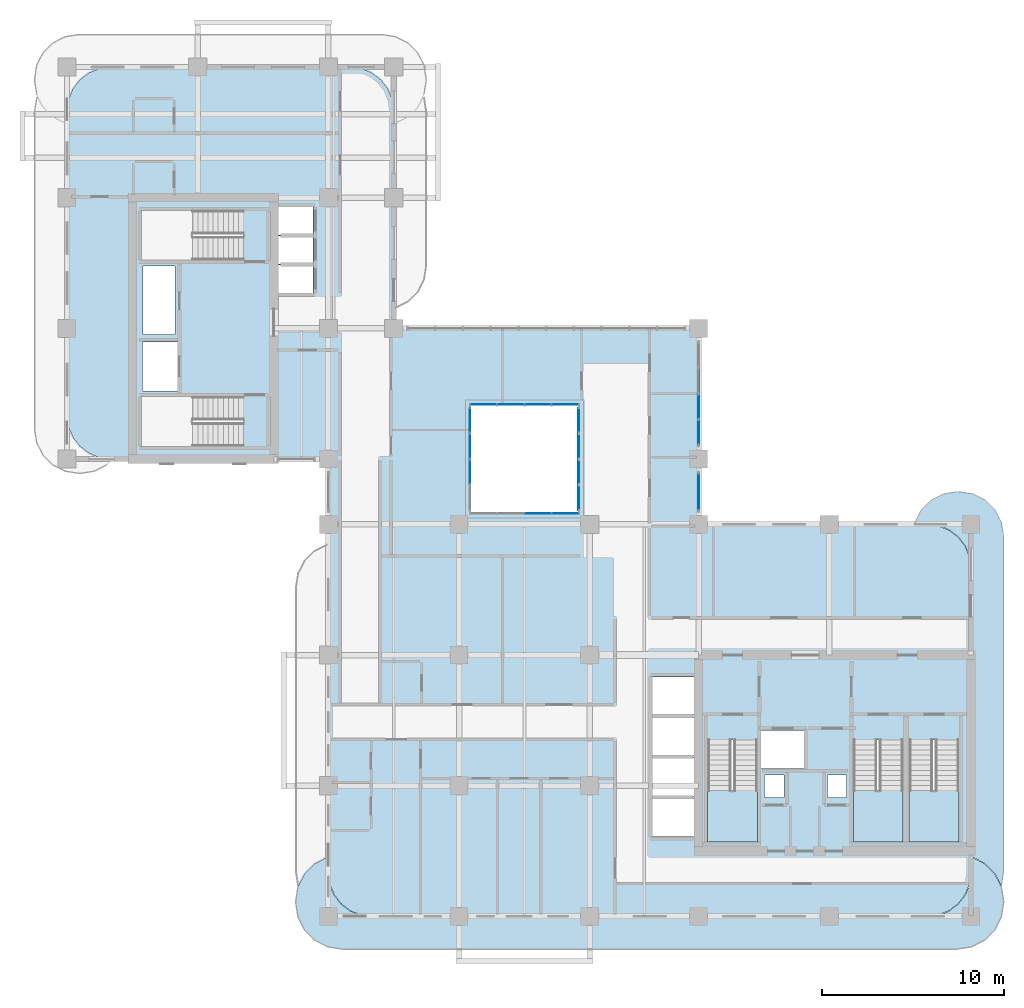
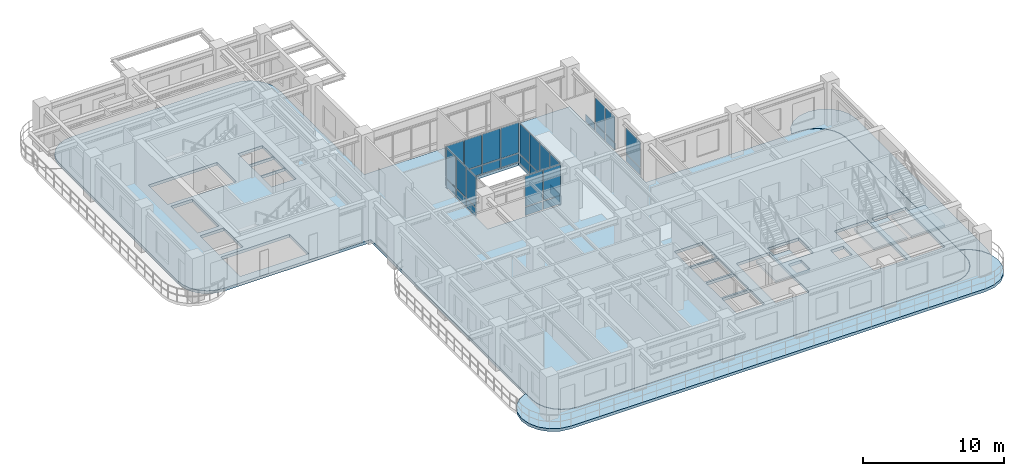
# One storey, part 9 of 20: 33 plates, 6 slabs, 9 elements without a shape of their own.
"""IFC4 building model written with IfcOpenShell, lengths in metres."""

from ifc_helpers import new_model, si_unit, derived_unit, direction, frame, origin, origin_2d, place, context, subcontext, project, spatial, polyline, rectangle, outline, extrude, source, transform, mapped, material, layer, layer_set, type_object, element, aggregate, save


model = new_model("IFC4")

# Units and contexts
model_context = context("Model", 3, precision=1e-05, world=origin(), true_north=direction((0.0, 1.0)))
body_context = subcontext(model_context, "Body", "Model", "MODEL_VIEW")
ifc_project = project(units=[si_unit("LENGTHUNIT", "METRE"), si_unit("AREAUNIT", "SQUARE_METRE"), si_unit("VOLUMEUNIT", "CUBIC_METRE"), si_unit("PLANEANGLEUNIT", "RADIAN"), si_unit("MASSUNIT", "GRAM", prefix="KILO"), si_unit("THERMODYNAMICTEMPERATUREUNIT", "KELVIN"), si_unit("POWERUNIT", "WATT"), derived_unit("THERMALTRANSMITTANCEUNIT", [(si_unit("POWERUNIT", "WATT"), 1), (si_unit("AREAUNIT", "SQUARE_METRE"), -1), (si_unit("THERMODYNAMICTEMPERATUREUNIT", "KELVIN"), -1)])], contexts=[model_context])

# Site, building, storey
site_placement = place(None, origin())
site = spatial("IfcSite", under=ifc_project, at=site_placement, CompositionType="ELEMENT")
building_placement = place(site_placement, origin())
building = spatial("IfcBuilding", under=site, at=building_placement, Name="Zahravan Archway Hotel and Residences", CompositionType="ELEMENT")
storey_placement = place(building_placement, frame((0.0, 0.0, 173.39990234375)))
storey = spatial("IfcBuildingStorey", under=building, at=storey_placement, Name="L43", CompositionType="ELEMENT", Elevation=173.39990234375)

# Slabs
ifc_material_1 = material(Name="Concrete C45/55", Category="concrete")
ifc_layer_1 = layer(ifc_material_1, 0.25, Name="Concrete C45/55", Category="concrete")
ifc_layer_set_1 = layer_set([ifc_layer_1], Name="Concrete C45/55")
slab_type_1 = type_object("IfcSlabType", Name="SLB-BALC-250", PredefinedType="FLOOR", material=ifc_layer_set_1)
slab_1_placement = place(storey_placement, frame((0.0, 0.0, -0.25)))
element("IfcSlab", 1, at=slab_1_placement, inside=storey, type_object=slab_type_1, Name="L43 Wing A South Rounded Balcony Band", PredefinedType="FLOOR", context=body_context, shape_type="SweptSolid", body=[
    extrude(outline(polyline([(49.837890625, 3.275146484375), (50.548828125, 2.9130859375), (51.113037109375, 2.348876953125), (51.47509765625, 1.637939453125), (51.60009765625, 0.85009765625), (51.60009765625, 0.75), (51.47509765625, -0.0380859375), (51.113037109375, -0.748779296875), (50.548828125, -1.31298828125), (49.837890625, -1.67529296875), (49.050048828125, -1.800048828125), (15.14990234375, -1.800048828125), (14.362060546875, -1.67529296875), (13.651123046875, -1.31298828125), (13.0869140625, -0.748779296875), (12.724853515625, -0.0380859375), (12.60009765625, 0.75), (12.60009765625, 0.85009765625), (12.724853515625, 1.637939453125), (13.0869140625, 2.348876953125), (13.651123046875, 2.9130859375), (14.362060546875, 3.275146484375), (14.3798828125, 3.278076171875), (14.3798828125, 2.39990234375), (14.380126953125, 2.3974609375), (14.4619140625, 1.776123046875), (14.46240234375, 1.7744140625), (14.462646484375, 1.772705078125), (14.46337890625, 1.77099609375), (14.702880859375, 1.1923828125), (14.703857421875, 1.19091796875), (14.70458984375, 1.189208984375), (14.70556640625, 1.187744140625), (15.0869140625, 0.690673828125), (15.088134765625, 0.689453125), (15.08935546875, 0.688232421875), (15.0908203125, 0.68701171875), (15.587890625, 0.3056640625), (15.58935546875, 0.3046875), (15.5908203125, 0.3037109375), (15.59228515625, 0.302978515625), (16.171142578125, 0.063232421875), (16.1728515625, 0.062744140625), (16.174560546875, 0.062255859375), (16.17626953125, 0.06201171875), (16.79736328125, -0.019775390625), (16.800048828125, -0.02001953125), (47.39990234375, -0.02001953125), (47.402587890625, -0.019775390625), (48.023681640625, 0.06201171875), (48.025390625, 0.062255859375), (48.027099609375, 0.062744140625), (48.02880859375, 0.063232421875), (48.607666015625, 0.302978515625), (48.609130859375, 0.3037109375), (48.610595703125, 0.3046875), (48.6123046875, 0.3056640625), (49.109375, 0.68701171875), (49.110595703125, 0.688232421875), (49.11181640625, 0.689453125), (49.113037109375, 0.690673828125), (49.494384765625, 1.187744140625), (49.495361328125, 1.189208984375), (49.49609375, 1.19091796875), (49.4970703125, 1.1923828125), (49.73681640625, 1.77099609375), (49.7373046875, 1.772705078125), (49.73779296875, 1.7744140625), (49.738037109375, 1.776123046875), (49.81982421875, 2.3974609375), (49.820068359375, 2.39990234375), (49.820068359375, 3.278076171875), (49.837890625, 3.275146484375)])), origin(), (0.0, 0.0, 1.0), 0.25),
])
slab_2_placement = place(storey_placement, frame((0.0, 0.0, -0.25)))
element("IfcSlab", 2, at=slab_2_placement, inside=storey, type_object=slab_type_1, Name="L43 Wing A East Rounded Balcony Band", PredefinedType="FLOOR", context=body_context, shape_type="SweptSolid", body=[
    extrude(outline(polyline([(46.719970703125, 21.70703125), (47.06787109375, 22.39013671875), (47.60986328125, 22.93212890625), (48.29296875, 23.280029296875), (49.050048828125, 23.39990234375), (49.14990234375, 23.39990234375), (49.906982421875, 23.280029296875), (50.590087890625, 22.93212890625), (51.132080078125, 22.39013671875), (51.47998046875, 21.70703125), (51.60009765625, 20.949951171875), (51.60009765625, 2.449951171875), (51.47998046875, 1.69287109375), (51.474853515625, 1.6826171875), (51.130859375, 2.35791015625), (51.1298828125, 2.35986328125), (51.12841796875, 2.361572265625), (51.127197265625, 2.363037109375), (50.56298828125, 2.927001953125), (50.5615234375, 2.928466796875), (50.559814453125, 2.9296875), (50.55810546875, 2.930908203125), (49.84716796875, 3.29296875), (49.84521484375, 3.2939453125), (49.84326171875, 3.29443359375), (49.841064453125, 3.294921875), (49.822998046875, 3.2978515625), (49.8212890625, 3.298095703125), (49.820068359375, 3.298095703125), (49.820068359375, 19.199951171875), (49.81982421875, 19.20263671875), (49.738037109375, 19.82373046875), (49.73779296875, 19.825439453125), (49.7373046875, 19.8271484375), (49.73681640625, 19.828857421875), (49.4970703125, 20.40771484375), (49.49609375, 20.4091796875), (49.495361328125, 20.41064453125), (49.494384765625, 20.412109375), (49.113037109375, 20.9091796875), (49.11181640625, 20.91064453125), (49.110595703125, 20.911865234375), (49.109375, 20.9130859375), (48.6123046875, 21.29443359375), (48.610595703125, 21.29541015625), (48.609130859375, 21.296142578125), (48.607666015625, 21.297119140625), (48.02880859375, 21.53662109375), (48.027099609375, 21.537353515625), (48.025390625, 21.53759765625), (48.023681640625, 21.5380859375), (47.402587890625, 21.619873046875), (47.39990234375, 21.6201171875), (46.7060546875, 21.6201171875), (46.719970703125, 21.70703125)])), origin(), (0.0, 0.0, 1.0), 0.25),
])
ifc_layer_2 = layer(ifc_material_1, 0.25, Name="Concrete C45/55", Category="concrete")
ifc_layer_set_2 = layer_set([ifc_layer_2], Name="Concrete C45/55")
slab_type_2 = type_object("IfcSlabType", Name="SLB-FLR-250", PredefinedType="FLOOR", material=ifc_layer_set_2)
slab_3_placement = place(storey_placement, frame((0.0, 0.0, -0.25)))
element("IfcSlab", 3, at=slab_3_placement, inside=storey, type_object=slab_type_2, Name="L43 Floor Slab LB", PredefinedType="FLOOR", context=body_context, shape_type="SweptSolid", body=[
    extrude(outline(polyline([(34.800048828125, 21.60009765625), (34.800048828125, 32.39990234375), (18.0, 32.39990234375), (18.0, 44.39990234375), (17.918212890625, 45.021240234375), (17.678466796875, 45.60009765625), (17.297119140625, 46.09716796875), (16.800048828125, 46.478515625), (16.22119140625, 46.71826171875), (15.60009765625, 46.800048828125), (2.39990234375, 46.800048828125), (1.77880859375, 46.71826171875), (1.199951171875, 46.478515625), (0.702880859375, 46.09716796875), (0.321533203125, 45.60009765625), (0.081787109375, 45.021240234375), (0.0, 44.39990234375), (0.0, 27.60009765625), (0.081787109375, 26.978759765625), (0.321533203125, 26.39990234375), (0.702880859375, 25.90283203125), (1.199951171875, 25.521484375), (1.77880859375, 25.28173828125), (2.39990234375, 25.199951171875), (14.39990234375, 25.199951171875), (14.39990234375, 19.199951171875), (14.39990234375, 19.10009765625), (14.39990234375, 2.39990234375), (14.481689453125, 1.77880859375), (14.721435546875, 1.199951171875), (15.102783203125, 0.702880859375), (15.60009765625, 0.321533203125), (16.1787109375, 0.081787109375), (16.800048828125, 0.0), (47.39990234375, 0.0), (48.021240234375, 0.081787109375), (48.60009765625, 0.321533203125), (49.09716796875, 0.702880859375), (49.478515625, 1.199951171875), (49.71826171875, 1.77880859375), (49.800048828125, 2.39990234375), (49.800048828125, 19.199951171875), (49.71826171875, 19.8212890625), (49.478515625, 20.39990234375), (49.09716796875, 20.897216796875), (48.60009765625, 21.278564453125), (48.021240234375, 21.518310546875), (47.39990234375, 21.60009765625), (34.800048828125, 21.60009765625)]), holes=[polyline([(35.300048828125, 9.72998046875), (35.300048828125, 4.10009765625), (38.0400390625, 4.10009765625), (38.0400390625, 9.72998046875), (35.300048828125, 9.72998046875)]), polyline([(43.320068359375, 9.72998046875), (43.320068359375, 4.10009765625), (46.06005859375, 4.10009765625), (46.06005859375, 9.72998046875), (43.320068359375, 9.72998046875)]), polyline([(46.39990234375, 9.72998046875), (46.39990234375, 4.10009765625), (49.139892578125, 4.10009765625), (49.139892578125, 9.72998046875), (46.39990234375, 9.72998046875)]), polyline([(9.72998046875, 28.639892578125), (4.10009765625, 28.639892578125), (4.10009765625, 25.89990234375), (9.72998046875, 25.89990234375), (9.72998046875, 28.639892578125)]), polyline([(9.72998046875, 38.89990234375), (4.10009765625, 38.89990234375), (4.10009765625, 36.159912109375), (9.72998046875, 36.159912109375), (9.72998046875, 38.89990234375)]), polyline([(38.179931640625, 8.14990234375), (40.699951171875, 8.14990234375), (40.699951171875, 10.25), (38.179931640625, 10.25), (38.179931640625, 8.14990234375)]), polyline([(4.14990234375, 28.949951171875), (6.10009765625, 28.949951171875), (6.10009765625, 31.64990234375), (4.14990234375, 31.64990234375), (4.14990234375, 28.949951171875)]), polyline([(11.550048828125, 34.35009765625), (13.550048828125, 34.35009765625), (13.550048828125, 35.889892578125), (11.550048828125, 35.889892578125), (11.550048828125, 34.35009765625)]), polyline([(11.550048828125, 35.949951171875), (13.550048828125, 35.949951171875), (13.550048828125, 37.489990234375), (11.550048828125, 37.489990234375), (11.550048828125, 35.949951171875)]), polyline([(11.550048828125, 37.550048828125), (13.550048828125, 37.550048828125), (13.550048828125, 39.090087890625), (11.550048828125, 39.090087890625), (11.550048828125, 37.550048828125)]), polyline([(32.25, 4.39990234375), (34.550048828125, 4.39990234375), (34.550048828125, 6.47998046875), (32.25, 6.47998046875), (32.25, 4.39990234375)]), polyline([(32.25, 6.639892578125), (34.550048828125, 6.639892578125), (34.550048828125, 8.719970703125), (32.25, 8.719970703125), (32.25, 6.639892578125)]), polyline([(32.25, 8.8798828125), (34.550048828125, 8.8798828125), (34.550048828125, 10.9599609375), (32.25, 10.9599609375), (32.25, 8.8798828125)]), polyline([(32.25, 11.1201171875), (34.550048828125, 11.1201171875), (34.550048828125, 13.199951171875), (32.25, 13.199951171875), (32.25, 11.1201171875)]), polyline([(22.199951171875, 22.199951171875), (28.199951171875, 22.199951171875), (28.199951171875, 28.199951171875), (22.199951171875, 28.199951171875), (22.199951171875, 22.199951171875)]), polyline([(38.419921875, 6.56005859375), (39.5, 6.56005859375), (39.5, 7.780029296875), (38.419921875, 7.780029296875), (38.419921875, 6.56005859375)]), polyline([(41.89990234375, 6.56005859375), (42.9599609375, 6.56005859375), (42.9599609375, 7.780029296875), (41.89990234375, 7.780029296875), (41.89990234375, 6.56005859375)]), polyline([(4.179931640625, 32.050048828125), (5.93994140625, 32.050048828125), (5.93994140625, 35.840087890625), (4.179931640625, 35.840087890625), (4.179931640625, 32.050048828125)])]), origin(), (0.0, 0.0, 1.0), 0.25),
])

# Stair, slab
ifc_material_2 = material(Name="Concrete C50/60", Category="concrete")
stair_type = type_object("IfcStairType", Name="STR-CORE-1300", PredefinedType="HALF_TURN_STAIR", material=ifc_material_2)
stair_1_placement = place(storey_placement, origin())
stair_1 = element("IfcStair", 4, at=stair_1_placement, inside=storey, type_object=stair_type, Name="L43 Core A Exit Stair 1", PredefinedType="HALF_TURN_STAIR")
ifc_layer_3 = layer(ifc_material_2, 0.199951171875, Name="Concrete C50/60", Category="concrete")
ifc_layer_set_3 = layer_set([ifc_layer_3], Name="Concrete C50/60")
slab_type_3 = type_object("IfcSlabType", Name="SLB-LND-200", PredefinedType="LANDING", material=ifc_layer_set_3)
slab_4_placement = place(storey_placement, frame((0.0, 0.0, 1.72509765625)))
slab_4 = element("IfcSlab", 5, at=slab_4_placement, type_object=slab_type_3, Name="ST-A1 landing 1", PredefinedType="LANDING", context=body_context, shape_type="SweptSolid", body=[
    extrude(outline(polyline([(35.300048828125, 6.929931640625), (35.300048828125, 4.10009765625), (38.0400390625, 4.10009765625), (38.0400390625, 6.929931640625), (35.300048828125, 6.929931640625)])), origin(), (0.0, 0.0, 1.0), 0.199951171875),
])
aggregate(stair_1, [slab_4])

stair_2_placement = place(storey_placement, origin())
stair_2 = element("IfcStair", 6, at=stair_2_placement, inside=storey, type_object=stair_type, Name="L43 Core A Exit Stair 2", PredefinedType="HALF_TURN_STAIR")
slab_5_placement = place(storey_placement, frame((0.0, 0.0, 1.72509765625)))
slab_5 = element("IfcSlab", 7, at=slab_5_placement, type_object=slab_type_3, Name="ST-A2 landing 1", PredefinedType="LANDING", context=body_context, shape_type="SweptSolid", body=[
    extrude(outline(polyline([(43.320068359375, 6.929931640625), (43.320068359375, 4.10009765625), (46.06005859375, 4.10009765625), (46.06005859375, 6.929931640625), (43.320068359375, 6.929931640625)])), origin(), (0.0, 0.0, 1.0), 0.199951171875),
])
aggregate(stair_2, [slab_5])

stair_3_placement = place(storey_placement, origin())
stair_3 = element("IfcStair", 8, at=stair_3_placement, inside=storey, type_object=stair_type, Name="L43 Core A Exit Stair 3", PredefinedType="HALF_TURN_STAIR")
slab_6_placement = place(storey_placement, frame((0.0, 0.0, 1.72509765625)))
slab_6 = element("IfcSlab", 9, at=slab_6_placement, type_object=slab_type_3, Name="ST-A3 landing 1", PredefinedType="LANDING", context=body_context, shape_type="SweptSolid", body=[
    extrude(outline(polyline([(46.39990234375, 6.929931640625), (46.39990234375, 4.10009765625), (49.139892578125, 4.10009765625), (49.139892578125, 6.929931640625), (46.39990234375, 6.929931640625)])), origin(), (0.0, 0.0, 1.0), 0.199951171875),
])
aggregate(stair_3, [slab_6])

# Curtain wall, plates
ifc_material_3 = material(Name="Bronze-Anodized Unitised Aluminium & Low-E Glass", Category="aluminium")
ifc_layer_4 = layer(ifc_material_3, 0.179931640625, Name="Bronze-Anodized Unitised Aluminium & Low-E Glass", Category="aluminium")
ifc_layer_set_4 = layer_set([ifc_layer_4], Name="Bronze-Anodized Unitised Aluminium & Low-E Glass")
curtain_wall_type = type_object("IfcCurtainWallType", Name="CW-ATR-GLAZ", PredefinedType="NOTDEFINED", material=ifc_layer_set_4)
curtain_wall_1_placement = place(storey_placement, origin())
curtain_wall_1 = element("IfcCurtainWall", 10, at=curtain_wall_1_placement, inside=storey, type_object=curtain_wall_type, Name="L43 Curtain Wall CW-ATR-L43-S-1", PredefinedType="NOTDEFINED")
ifc_material_4 = material(Name="Insulated Terracotta Spandrel Panel", Category="masonry")
ifc_layer_5 = layer(ifc_material_4, 0.0400390625, Name="Insulated Terracotta Spandrel Panel", Category="masonry")
ifc_layer_set_5 = layer_set([ifc_layer_5], Name="Insulated Terracotta Spandrel Panel")
plate_type_1 = type_object("IfcPlateType", Name="CWP-SPN-40", PredefinedType="SHEET", material=ifc_layer_set_5)
shared_shape_1 = source(origin(), body_context, "Body", "SweptSolid", [
    extrude(rectangle(XDim=1.419921875, YDim=0.0400390625, at=origin_2d()), origin(), (0.0, 0.0, 1.0), 0.7099609375),
])
plate_1_placement = place(storey_placement, frame((25.949951171875, 22.199951171875, 0.10009765625), z_axis=(0.0, 0.0, 1.0), x_axis=(1.0, 0.0, 0.0)))
plate_1 = element("IfcPlate", 11, at=plate_1_placement, type_object=plate_type_1, Name="CW-ATR-L43-S-1 Spandrel Panel 2", PredefinedType="SHEET", context=body_context, shape_type="MappedRepresentation", body=[
    mapped(shared_shape_1, transform((0.0, 0.0, 0.0), scale=1.0)),
])
plate_2_placement = place(storey_placement, frame((27.449951171875, 22.199951171875, 0.10009765625), z_axis=(0.0, 0.0, 1.0), x_axis=(1.0, 0.0, 0.0)))
plate_2 = element("IfcPlate", 12, at=plate_2_placement, type_object=plate_type_1, Name="CW-ATR-L43-S-1 Spandrel Panel 3", PredefinedType="SHEET", context=body_context, shape_type="MappedRepresentation", body=[
    mapped(shared_shape_1, transform((0.0, 0.0, 0.0), scale=1.0)),
])

curtain_wall_2_placement = place(storey_placement, origin())
curtain_wall_2 = element("IfcCurtainWall", 13, at=curtain_wall_2_placement, inside=storey, type_object=curtain_wall_type, Name="L43 Curtain Wall CW-ATR-L43-N-1", PredefinedType="NOTDEFINED")
plate_3_placement = place(storey_placement, frame((22.949951171875, 28.199951171875, 0.10009765625), z_axis=(0.0, 0.0, 1.0), x_axis=(1.0, 0.0, 0.0)))
plate_3 = element("IfcPlate", 14, at=plate_3_placement, type_object=plate_type_1, Name="CW-ATR-L43-N-1 Spandrel Panel 0", PredefinedType="SHEET", context=body_context, shape_type="MappedRepresentation", body=[
    mapped(shared_shape_1, transform((0.0, 0.0, 0.0), scale=1.0)),
])
plate_4_placement = place(storey_placement, frame((24.449951171875, 28.199951171875, 0.10009765625), z_axis=(0.0, 0.0, 1.0), x_axis=(1.0, 0.0, 0.0)))
plate_4 = element("IfcPlate", 15, at=plate_4_placement, type_object=plate_type_1, Name="CW-ATR-L43-N-1 Spandrel Panel 1", PredefinedType="SHEET", context=body_context, shape_type="MappedRepresentation", body=[
    mapped(shared_shape_1, transform((0.0, 0.0, 0.0), scale=1.0)),
])
plate_5_placement = place(storey_placement, frame((25.949951171875, 28.199951171875, 0.10009765625), z_axis=(0.0, 0.0, 1.0), x_axis=(1.0, 0.0, 0.0)))
plate_5 = element("IfcPlate", 16, at=plate_5_placement, type_object=plate_type_1, Name="CW-ATR-L43-N-1 Spandrel Panel 2", PredefinedType="SHEET", context=body_context, shape_type="MappedRepresentation", body=[
    mapped(shared_shape_1, transform((0.0, 0.0, 0.0), scale=1.0)),
])
plate_6_placement = place(storey_placement, frame((27.449951171875, 28.199951171875, 0.10009765625), z_axis=(0.0, 0.0, 1.0), x_axis=(1.0, 0.0, 0.0)))
plate_6 = element("IfcPlate", 17, at=plate_6_placement, type_object=plate_type_1, Name="CW-ATR-L43-N-1 Spandrel Panel 3", PredefinedType="SHEET", context=body_context, shape_type="MappedRepresentation", body=[
    mapped(shared_shape_1, transform((0.0, 0.0, 0.0), scale=1.0)),
])

curtain_wall_3_placement = place(storey_placement, origin())
curtain_wall_3 = element("IfcCurtainWall", 18, at=curtain_wall_3_placement, inside=storey, type_object=curtain_wall_type, Name="L43 Curtain Wall CW-ATR-L43-W-1", PredefinedType="NOTDEFINED")
shared_shape_2 = source(origin(), body_context, "Body", "SweptSolid", [
    extrude(rectangle(XDim=1.344970703125, YDim=0.0400390625, at=origin_2d()), origin(), (0.0, 0.0, 1.0), 0.7099609375),
])
plate_7_placement = place(storey_placement, frame((22.199951171875, 24.487548828125, 0.10009765625), z_axis=(0.0, 0.0, 1.0), x_axis=(0.0, 1.0, 0.0)))
plate_7 = element("IfcPlate", 19, at=plate_7_placement, type_object=plate_type_1, Name="CW-ATR-L43-W-1 Spandrel Panel 1", PredefinedType="SHEET", context=body_context, shape_type="MappedRepresentation", body=[
    mapped(shared_shape_2, transform((0.0, 0.0, 0.0), scale=1.0)),
])
plate_8_placement = place(storey_placement, frame((22.199951171875, 25.91259765625, 0.10009765625), z_axis=(0.0, 0.0, 1.0), x_axis=(0.0, 1.0, 0.0)))
plate_8 = element("IfcPlate", 20, at=plate_8_placement, type_object=plate_type_1, Name="CW-ATR-L43-W-1 Spandrel Panel 2", PredefinedType="SHEET", context=body_context, shape_type="MappedRepresentation", body=[
    mapped(shared_shape_2, transform((0.0, 0.0, 0.0), scale=1.0)),
])
plate_9_placement = place(storey_placement, frame((22.199951171875, 27.33740234375, 0.10009765625), z_axis=(0.0, 0.0, 1.0), x_axis=(0.0, 1.0, 0.0)))
plate_9 = element("IfcPlate", 21, at=plate_9_placement, type_object=plate_type_1, Name="CW-ATR-L43-W-1 Spandrel Panel 3", PredefinedType="SHEET", context=body_context, shape_type="MappedRepresentation", body=[
    mapped(shared_shape_2, transform((0.0, 0.0, 0.0), scale=1.0)),
])

curtain_wall_4_placement = place(storey_placement, origin())
curtain_wall_4 = element("IfcCurtainWall", 22, at=curtain_wall_4_placement, inside=storey, type_object=curtain_wall_type, Name="L43 Curtain Wall CW-ATR-L43-E-1", PredefinedType="NOTDEFINED")
plate_10_placement = place(storey_placement, frame((28.199951171875, 23.0625, 0.10009765625), z_axis=(0.0, 0.0, 1.0), x_axis=(0.0, 1.0, 0.0)))
plate_10 = element("IfcPlate", 23, at=plate_10_placement, type_object=plate_type_1, Name="CW-ATR-L43-E-1 Spandrel Panel 0", PredefinedType="SHEET", context=body_context, shape_type="MappedRepresentation", body=[
    mapped(shared_shape_2, transform((0.0, 0.0, 0.0), scale=1.0)),
])
plate_11_placement = place(storey_placement, frame((28.199951171875, 24.487548828125, 0.10009765625), z_axis=(0.0, 0.0, 1.0), x_axis=(0.0, 1.0, 0.0)))
plate_11 = element("IfcPlate", 24, at=plate_11_placement, type_object=plate_type_1, Name="CW-ATR-L43-E-1 Spandrel Panel 1", PredefinedType="SHEET", context=body_context, shape_type="MappedRepresentation", body=[
    mapped(shared_shape_2, transform((0.0, 0.0, 0.0), scale=1.0)),
])
plate_12_placement = place(storey_placement, frame((28.199951171875, 25.91259765625, 0.10009765625), z_axis=(0.0, 0.0, 1.0), x_axis=(0.0, 1.0, 0.0)))
plate_12 = element("IfcPlate", 25, at=plate_12_placement, type_object=plate_type_1, Name="CW-ATR-L43-E-1 Spandrel Panel 2", PredefinedType="SHEET", context=body_context, shape_type="MappedRepresentation", body=[
    mapped(shared_shape_2, transform((0.0, 0.0, 0.0), scale=1.0)),
])
plate_13_placement = place(storey_placement, frame((28.199951171875, 27.33740234375, 0.10009765625), z_axis=(0.0, 0.0, 1.0), x_axis=(0.0, 1.0, 0.0)))
plate_13 = element("IfcPlate", 26, at=plate_13_placement, type_object=plate_type_1, Name="CW-ATR-L43-E-1 Spandrel Panel 3", PredefinedType="SHEET", context=body_context, shape_type="MappedRepresentation", body=[
    mapped(shared_shape_2, transform((0.0, 0.0, 0.0), scale=1.0)),
])

curtain_wall_5_placement = place(storey_placement, origin())
curtain_wall_5 = element("IfcCurtainWall", 27, at=curtain_wall_5_placement, inside=storey, type_object=curtain_wall_type, Name="L43 Curtain Wall CW-L43-HNG-E-1", PredefinedType="NOTDEFINED")
shared_shape_3 = source(origin(), body_context, "Body", "SweptSolid", [
    extrude(rectangle(XDim=2.0, YDim=0.0400390625, at=origin_2d()), origin(), (0.0, 0.0, 1.0), 0.600341796875),
])
plate_14_placement = place(storey_placement, frame((34.800048828125, 23.39990234375, 0.10009765625), z_axis=(0.0, 0.0, 1.0), x_axis=(0.0, 1.0, 0.0)))
plate_14 = element("IfcPlate", 28, at=plate_14_placement, type_object=plate_type_1, Name="CW-L43-HNG-E-1 Spandrel Panel 0", PredefinedType="SHEET", context=body_context, shape_type="MappedRepresentation", body=[
    mapped(shared_shape_3, transform((0.0, 0.0, 0.0), scale=1.0)),
])
ifc_material_5 = material(Name="Double-Silver Low-E Insulated Vision Glass", Category="glass")
ifc_layer_6 = layer(ifc_material_5, 0.028076171875, Name="Double-Silver Low-E Insulated Vision Glass", Category="glass")
ifc_layer_set_6 = layer_set([ifc_layer_6], Name="Double-Silver Low-E Insulated Vision Glass")
plate_type_2 = type_object("IfcPlateType", Name="CWP-GLZ-28", PredefinedType="CURTAIN_PANEL", material=ifc_layer_set_6)
shared_shape_4 = source(origin(), body_context, "Body", "SweptSolid", [
    extrude(rectangle(XDim=2.0, YDim=0.028076171875, at=origin_2d()), origin(), (0.0, 0.0, 1.0), 2.20458984375),
])
plate_15_placement = place(storey_placement, frame((34.800048828125, 23.39990234375, 0.780517578125), z_axis=(0.0, 0.0, 1.0), x_axis=(0.0, 1.0, 0.0)))
plate_15 = element("IfcPlate", 29, at=plate_15_placement, type_object=plate_type_2, Name="CW-L43-HNG-E-1 Low-E Vision Panel 0", PredefinedType="CURTAIN_PANEL", context=body_context, shape_type="MappedRepresentation", body=[
    mapped(shared_shape_4, transform((0.0, 0.0, 0.0), scale=1.0)),
])
aggregate(curtain_wall_5, [plate_14, plate_15])

curtain_wall_6_placement = place(storey_placement, origin())
curtain_wall_6 = element("IfcCurtainWall", 30, at=curtain_wall_6_placement, inside=storey, type_object=curtain_wall_type, Name="L43 Curtain Wall CW-L43-HNG-E-2", PredefinedType="NOTDEFINED")
shared_shape_5 = source(origin(), body_context, "Body", "SweptSolid", [
    extrude(rectangle(XDim=1.340087890625, YDim=0.0400390625, at=origin_2d()), origin(), (0.0, 0.0, 1.0), 0.600341796875),
])
plate_16_placement = place(storey_placement, frame((34.800048828125, 26.669921875, 0.10009765625), z_axis=(0.0, 0.0, 1.0), x_axis=(0.0, 1.0, 0.0)))
plate_16 = element("IfcPlate", 31, at=plate_16_placement, type_object=plate_type_1, Name="CW-L43-HNG-E-2 Spandrel Panel 0", PredefinedType="SHEET", context=body_context, shape_type="MappedRepresentation", body=[
    mapped(shared_shape_5, transform((0.0, 0.0, 0.0), scale=1.0)),
])
plate_17_placement = place(storey_placement, frame((34.800048828125, 28.090087890625, 0.10009765625), z_axis=(0.0, 0.0, 1.0), x_axis=(0.0, 1.0, 0.0)))
plate_17 = element("IfcPlate", 32, at=plate_17_placement, type_object=plate_type_1, Name="CW-L43-HNG-E-2 Spandrel Panel 1", PredefinedType="SHEET", context=body_context, shape_type="MappedRepresentation", body=[
    mapped(shared_shape_5, transform((0.0, 0.0, 0.0), scale=1.0)),
])
plate_18_placement = place(storey_placement, frame((34.800048828125, 29.510009765625, 0.10009765625), z_axis=(0.0, 0.0, 1.0), x_axis=(0.0, 1.0, 0.0)))
plate_18 = element("IfcPlate", 33, at=plate_18_placement, type_object=plate_type_1, Name="CW-L43-HNG-E-2 Spandrel Panel 2", PredefinedType="SHEET", context=body_context, shape_type="MappedRepresentation", body=[
    mapped(shared_shape_5, transform((0.0, 0.0, 0.0), scale=1.0)),
])
shared_shape_6 = source(origin(), body_context, "Body", "SweptSolid", [
    extrude(rectangle(XDim=1.340087890625, YDim=0.028076171875, at=origin_2d()), origin(), (0.0, 0.0, 1.0), 2.20458984375),
])
plate_19_placement = place(storey_placement, frame((34.800048828125, 26.669921875, 0.780517578125), z_axis=(0.0, 0.0, 1.0), x_axis=(0.0, 1.0, 0.0)))
plate_19 = element("IfcPlate", 34, at=plate_19_placement, type_object=plate_type_2, Name="CW-L43-HNG-E-2 Low-E Vision Panel 0", PredefinedType="CURTAIN_PANEL", context=body_context, shape_type="MappedRepresentation", body=[
    mapped(shared_shape_6, transform((0.0, 0.0, 0.0), scale=1.0)),
])
plate_20_placement = place(storey_placement, frame((34.800048828125, 28.090087890625, 0.780517578125), z_axis=(0.0, 0.0, 1.0), x_axis=(0.0, 1.0, 0.0)))
plate_20 = element("IfcPlate", 35, at=plate_20_placement, type_object=plate_type_2, Name="CW-L43-HNG-E-2 Low-E Vision Panel 1", PredefinedType="CURTAIN_PANEL", context=body_context, shape_type="MappedRepresentation", body=[
    mapped(shared_shape_6, transform((0.0, 0.0, 0.0), scale=1.0)),
])
aggregate(curtain_wall_6, [plate_16, plate_19, plate_17, plate_20, plate_18])

# Plate
shared_shape_7 = source(origin(), body_context, "Body", "SweptSolid", [
    extrude(rectangle(XDim=1.419921875, YDim=0.028076171875, at=origin_2d()), origin(), (0.0, 0.0, 1.0), 2.610107421875),
])
plate_21_placement = place(storey_placement, frame((25.949951171875, 22.199951171875, 0.89013671875), z_axis=(0.0, 0.0, 1.0), x_axis=(1.0, 0.0, 0.0)))
plate_21 = element("IfcPlate", 36, at=plate_21_placement, type_object=plate_type_2, Name="CW-ATR-L43-S-1 Low-E Vision Panel 2", PredefinedType="CURTAIN_PANEL", context=body_context, shape_type="MappedRepresentation", body=[
    mapped(shared_shape_7, transform((0.0, 0.0, 0.0), scale=1.0)),
])

plate_22_placement = place(storey_placement, frame((27.449951171875, 22.199951171875, 0.89013671875), z_axis=(0.0, 0.0, 1.0), x_axis=(1.0, 0.0, 0.0)))
plate_22 = element("IfcPlate", 37, at=plate_22_placement, type_object=plate_type_2, Name="CW-ATR-L43-S-1 Low-E Vision Panel 3", PredefinedType="CURTAIN_PANEL", context=body_context, shape_type="MappedRepresentation", body=[
    mapped(shared_shape_7, transform((0.0, 0.0, 0.0), scale=1.0)),
])

aggregate(curtain_wall_1, [plate_1, plate_21, plate_2, plate_22])

plate_23_placement = place(storey_placement, frame((22.949951171875, 28.199951171875, 0.89013671875), z_axis=(0.0, 0.0, 1.0), x_axis=(1.0, 0.0, 0.0)))
plate_23 = element("IfcPlate", 38, at=plate_23_placement, type_object=plate_type_2, Name="CW-ATR-L43-N-1 Low-E Vision Panel 0", PredefinedType="CURTAIN_PANEL", context=body_context, shape_type="MappedRepresentation", body=[
    mapped(shared_shape_7, transform((0.0, 0.0, 0.0), scale=1.0)),
])

plate_24_placement = place(storey_placement, frame((24.449951171875, 28.199951171875, 0.89013671875), z_axis=(0.0, 0.0, 1.0), x_axis=(1.0, 0.0, 0.0)))
plate_24 = element("IfcPlate", 39, at=plate_24_placement, type_object=plate_type_2, Name="CW-ATR-L43-N-1 Low-E Vision Panel 1", PredefinedType="CURTAIN_PANEL", context=body_context, shape_type="MappedRepresentation", body=[
    mapped(shared_shape_7, transform((0.0, 0.0, 0.0), scale=1.0)),
])

plate_25_placement = place(storey_placement, frame((25.949951171875, 28.199951171875, 0.89013671875), z_axis=(0.0, 0.0, 1.0), x_axis=(1.0, 0.0, 0.0)))
plate_25 = element("IfcPlate", 40, at=plate_25_placement, type_object=plate_type_2, Name="CW-ATR-L43-N-1 Low-E Vision Panel 2", PredefinedType="CURTAIN_PANEL", context=body_context, shape_type="MappedRepresentation", body=[
    mapped(shared_shape_7, transform((0.0, 0.0, 0.0), scale=1.0)),
])

plate_26_placement = place(storey_placement, frame((27.449951171875, 28.199951171875, 0.89013671875), z_axis=(0.0, 0.0, 1.0), x_axis=(1.0, 0.0, 0.0)))
plate_26 = element("IfcPlate", 41, at=plate_26_placement, type_object=plate_type_2, Name="CW-ATR-L43-N-1 Low-E Vision Panel 3", PredefinedType="CURTAIN_PANEL", context=body_context, shape_type="MappedRepresentation", body=[
    mapped(shared_shape_7, transform((0.0, 0.0, 0.0), scale=1.0)),
])

aggregate(curtain_wall_2, [plate_3, plate_23, plate_4, plate_24, plate_5, plate_25, plate_6, plate_26])

shared_shape_8 = source(origin(), body_context, "Body", "SweptSolid", [
    extrude(rectangle(XDim=1.344970703125, YDim=0.028076171875, at=origin_2d()), origin(), (0.0, 0.0, 1.0), 2.610107421875),
])
plate_27_placement = place(storey_placement, frame((22.199951171875, 24.487548828125, 0.89013671875), z_axis=(0.0, 0.0, 1.0), x_axis=(0.0, 1.0, 0.0)))
plate_27 = element("IfcPlate", 42, at=plate_27_placement, type_object=plate_type_2, Name="CW-ATR-L43-W-1 Low-E Vision Panel 1", PredefinedType="CURTAIN_PANEL", context=body_context, shape_type="MappedRepresentation", body=[
    mapped(shared_shape_8, transform((0.0, 0.0, 0.0), scale=1.0)),
])

plate_28_placement = place(storey_placement, frame((22.199951171875, 25.91259765625, 0.89013671875), z_axis=(0.0, 0.0, 1.0), x_axis=(0.0, 1.0, 0.0)))
plate_28 = element("IfcPlate", 43, at=plate_28_placement, type_object=plate_type_2, Name="CW-ATR-L43-W-1 Low-E Vision Panel 2", PredefinedType="CURTAIN_PANEL", context=body_context, shape_type="MappedRepresentation", body=[
    mapped(shared_shape_8, transform((0.0, 0.0, 0.0), scale=1.0)),
])

plate_29_placement = place(storey_placement, frame((22.199951171875, 27.33740234375, 0.89013671875), z_axis=(0.0, 0.0, 1.0), x_axis=(0.0, 1.0, 0.0)))
plate_29 = element("IfcPlate", 44, at=plate_29_placement, type_object=plate_type_2, Name="CW-ATR-L43-W-1 Low-E Vision Panel 3", PredefinedType="CURTAIN_PANEL", context=body_context, shape_type="MappedRepresentation", body=[
    mapped(shared_shape_8, transform((0.0, 0.0, 0.0), scale=1.0)),
])

aggregate(curtain_wall_3, [plate_7, plate_27, plate_8, plate_28, plate_9, plate_29])

plate_30_placement = place(storey_placement, frame((28.199951171875, 23.0625, 0.89013671875), z_axis=(0.0, 0.0, 1.0), x_axis=(0.0, 1.0, 0.0)))
plate_30 = element("IfcPlate", 45, at=plate_30_placement, type_object=plate_type_2, Name="CW-ATR-L43-E-1 Low-E Vision Panel 0", PredefinedType="CURTAIN_PANEL", context=body_context, shape_type="MappedRepresentation", body=[
    mapped(shared_shape_8, transform((0.0, 0.0, 0.0), scale=1.0)),
])

plate_31_placement = place(storey_placement, frame((28.199951171875, 24.487548828125, 0.89013671875), z_axis=(0.0, 0.0, 1.0), x_axis=(0.0, 1.0, 0.0)))
plate_31 = element("IfcPlate", 46, at=plate_31_placement, type_object=plate_type_2, Name="CW-ATR-L43-E-1 Low-E Vision Panel 1", PredefinedType="CURTAIN_PANEL", context=body_context, shape_type="MappedRepresentation", body=[
    mapped(shared_shape_8, transform((0.0, 0.0, 0.0), scale=1.0)),
])

plate_32_placement = place(storey_placement, frame((28.199951171875, 25.91259765625, 0.89013671875), z_axis=(0.0, 0.0, 1.0), x_axis=(0.0, 1.0, 0.0)))
plate_32 = element("IfcPlate", 47, at=plate_32_placement, type_object=plate_type_2, Name="CW-ATR-L43-E-1 Low-E Vision Panel 2", PredefinedType="CURTAIN_PANEL", context=body_context, shape_type="MappedRepresentation", body=[
    mapped(shared_shape_8, transform((0.0, 0.0, 0.0), scale=1.0)),
])

plate_33_placement = place(storey_placement, frame((28.199951171875, 27.33740234375, 0.89013671875), z_axis=(0.0, 0.0, 1.0), x_axis=(0.0, 1.0, 0.0)))
plate_33 = element("IfcPlate", 48, at=plate_33_placement, type_object=plate_type_2, Name="CW-ATR-L43-E-1 Low-E Vision Panel 3", PredefinedType="CURTAIN_PANEL", context=body_context, shape_type="MappedRepresentation", body=[
    mapped(shared_shape_8, transform((0.0, 0.0, 0.0), scale=1.0)),
])

aggregate(curtain_wall_4, [plate_10, plate_30, plate_11, plate_31, plate_12, plate_32, plate_13, plate_33])

save(model, "model.ifc")
